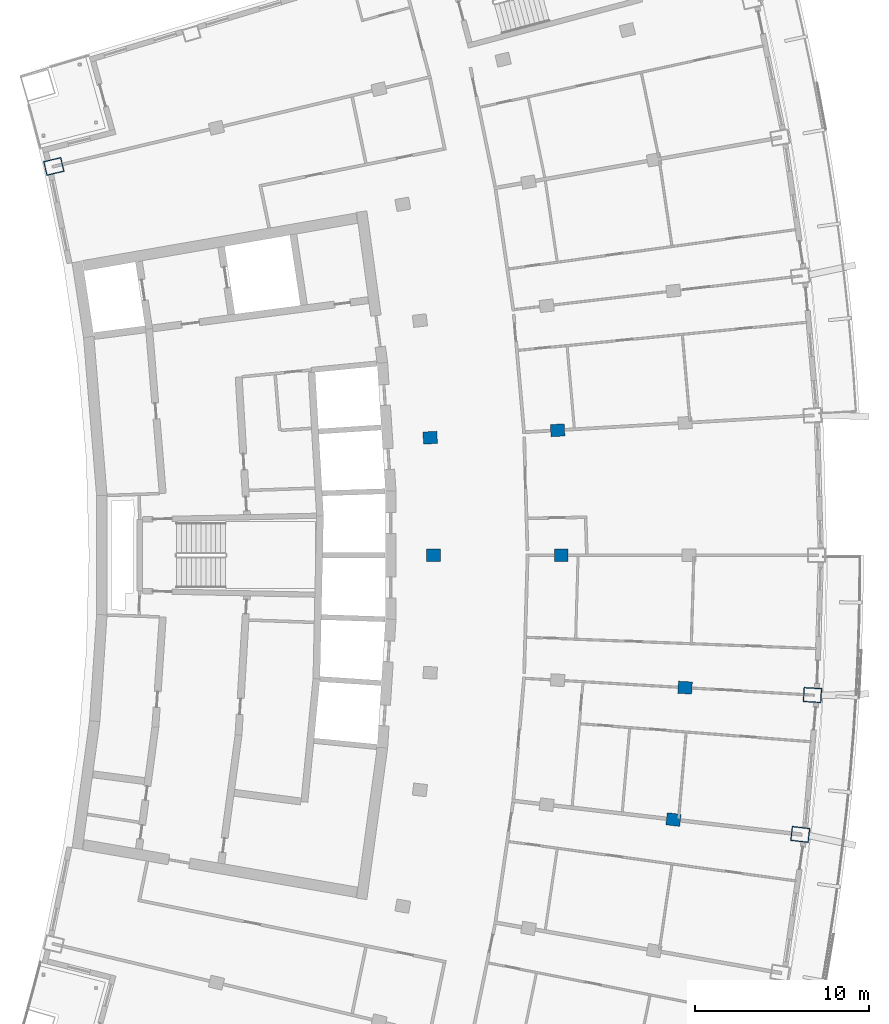
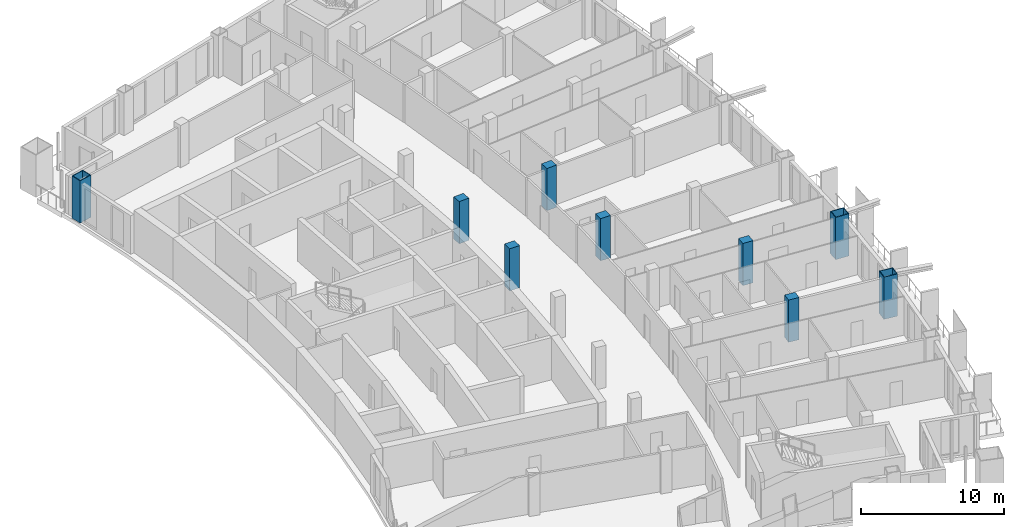
# One storey, part 4 of 17: 9 columns.
"""IFC4 building model written with IfcOpenShell, lengths in metres."""

from ifc_helpers import new_model, si_unit, direction, frame, origin, origin_2d, place, context, subcontext, project, spatial, rectangle, hollow_rectangle, extrude, material, material_profile, profile_set, type_object, element, save


model = new_model("IFC4")

# Units and contexts
model_context = context("Model", 3, precision=1e-05, world=origin(), true_north=direction((0.0, 1.0)))
body_context = subcontext(model_context, "Body", "Model", "MODEL_VIEW")
ifc_project = project(units=[si_unit("LENGTHUNIT", "METRE"), si_unit("AREAUNIT", "SQUARE_METRE"), si_unit("VOLUMEUNIT", "CUBIC_METRE"), si_unit("PLANEANGLEUNIT", "RADIAN"), si_unit("MASSUNIT", "GRAM", prefix="KILO")], contexts=[model_context])

# Site, building, storey
site_placement = place(None, origin())
site = spatial("IfcSite", under=ifc_project, at=site_placement, CompositionType="ELEMENT")
building_placement = place(site_placement, origin())
building = spatial("IfcBuilding", under=site, at=building_placement, Name="Alderwake Tower", CompositionType="ELEMENT")
storey_placement = place(building_placement, frame((0.0, 0.0, 214.39990234375)))
storey = spatial("IfcBuildingStorey", under=building, at=storey_placement, Name="L53", CompositionType="ELEMENT", Elevation=214.39990234375)

# Columns
ifc_material_1 = material(Name="Concrete C70/85", Category="concrete")
ifc_material_profile_1 = material_profile(ifc_material_1, rectangle(XDim=0.699951171875, YDim=0.800048828125, at=origin_2d()), Name="RC 800X700")
ifc_profile_set_1 = profile_set([ifc_material_profile_1], Name="Concrete C70/85")
column_type_1 = type_object("IfcColumnType", Name="Interior column Z4", PredefinedType="COLUMN", material=ifc_profile_set_1)
for number, where, z_axis, x_axis, name in (
    (1, (49.579833984375, 45.8134765625, 0.0), (0.0, 0.0, 1.0), (0.116402054316, 0.993202175668, 0.0), "Column R05-C4"),
    (2, (50.244873046875, 53.393798828125, 0.0), (0.0, 0.0, 1.0), (0.058299318924, 0.998299148258, 0.0), "Column R06-C4"),
    (3, (35.800048828125, 61.0, 0.0), (0.0, 0.0, 1.0), (0.0, 1.0, 0.0), "Column R07-C2"),
    (4, (43.13330078125, 61.0, 0.0), (0.0, 0.0, 1.0), (0.0, 1.0, 0.0), "Column R07-C3"),
    (5, (35.60302734375, 67.751220703125, 0.0), (0.0, 0.0, 1.0), (-0.058301061284, 0.998299046505, 0.0), "Column R08-C2"),
    (6, (42.923828125, 68.1787109375, 0.0), (0.0, 0.0, 1.0), (-0.058301061284, 0.998299046505, 0.0), "Column R08-C3"),
):
    element("IfcColumn", number, at=place(storey_placement, frame(where, z_axis=z_axis, x_axis=x_axis)), inside=storey, type_object=column_type_1, Name=name, PredefinedType="COLUMN", context=body_context, shape_type="SweptSolid", body=[
        extrude(rectangle(XDim=0.699951171875, YDim=0.800048828125, at=origin_2d()), origin(), (0.0, 0.0, 1.0), 3.60009765625),
    ])
ifc_material_2 = material(Name="Steel ASTM A572 Grade 50 concrete filled C70/85", Category="concrete")
ifc_material_profile_2 = material_profile(ifc_material_2, hollow_rectangle(XDim=0.85009765625, YDim=1.050048828125, WallThickness=0.054931640625, at=origin_2d()), Name="BOX 1050X850X55")
ifc_profile_set_2 = profile_set([ifc_material_profile_2], Name="Steel ASTM A572 Grade 50 concrete filled C70/85")
column_type_2 = type_object("IfcColumnType", Name="Perimeter column Z4", PredefinedType="COLUMN", material=ifc_profile_set_2)
for number, where, z_axis, x_axis, name in (
    (7, (56.86328125, 44.959716796875, 0.0), (0.0, 0.0, 1.0), (0.116402054316, 0.993202175668, 0.0), "Column R05-C5"),
    (8, (57.565673828125, 52.96630859375, 0.0), (0.0, 0.0, 1.0), (0.058301061284, 0.998299046505, 0.0), "Column R06-C5"),
    (9, (13.982177734375, 83.3359375, 0.0), (0.0, 0.0, 1.0), (-0.231221547198, 0.972901123502, 0.0), "Column R11-C0"),
):
    element("IfcColumn", number, at=place(storey_placement, frame(where, z_axis=z_axis, x_axis=x_axis)), inside=storey, type_object=column_type_2, Name=name, PredefinedType="COLUMN", context=body_context, shape_type="SweptSolid", body=[
        extrude(hollow_rectangle(XDim=0.85009765625, YDim=1.050048828125, WallThickness=0.054931640625, at=origin_2d()), origin(), (0.0, 0.0, 1.0), 3.60009765625),
    ])

save(model, "model.ifc")
